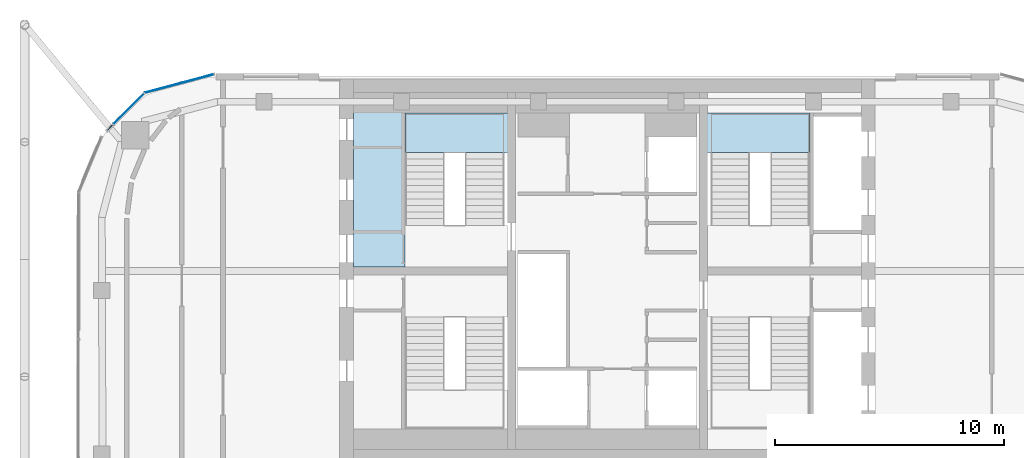
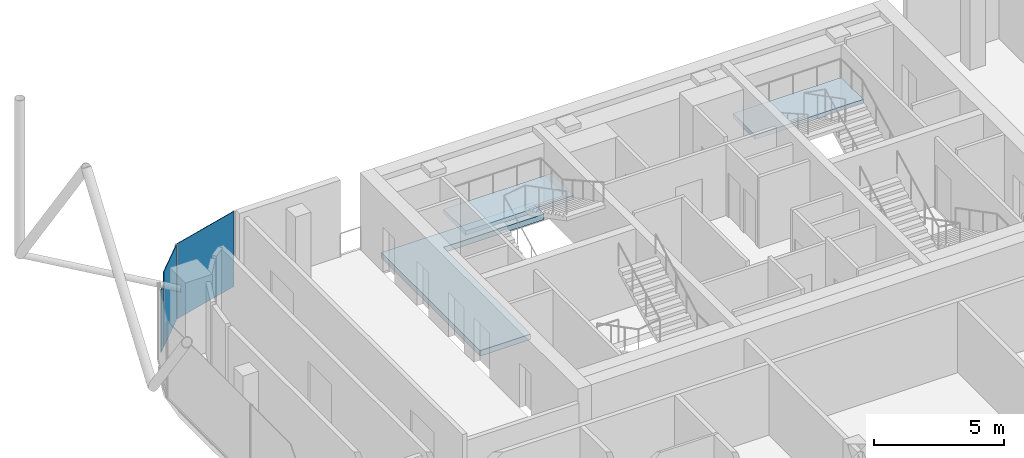
# One storey, part 19 of 27: 3 plates, 3 slabs, 5 elements without a shape of their own.
"""IFC4 building model written with IfcOpenShell, lengths in metres."""

import ifcopenshell
import ifcopenshell.guid

model = None  # the IFC model being written
_history = None  # IfcOwnerHistory: only IFC2X3 demands one
_inside = {}  # id of a spatial element -> (the spatial element, [elements in it])
_under = {}  # id of a project, library or spatial element -> (it, [spatial elements below it])
_declared = {}  # id of a project -> (the project, [libraries it declares])
_typed = {}  # id of a type object -> (the type object, [elements of that type])
_made_of = {}  # id of a material, layer set ... -> (it, [elements and type objects made of it])


def new_model(schema):
    """Start an empty IFC model of exactly this schema.

    Asked for "IFC4X3", IfcOpenShell would pick the latest addendum, in which some entities
    have other attributes; the version numbers below select the first issue.
    IFC2X3 requires an IfcOwnerHistory on every rooted entity: one is made here for all.
    """
    global model, _history
    if schema == "IFC4X3":
        model = ifcopenshell.file(schema_version=(4, 3, 0, 0))
    else:
        model = ifcopenshell.file(schema=schema)
    _inside.clear()
    _under.clear()
    _declared.clear()
    _typed.clear()
    _made_of.clear()
    _history = None
    if model.schema == "IFC2X3":
        org = make("IfcOrganization", Name="unknown")
        user = make(
            "IfcPersonAndOrganization",
            ThePerson=make("IfcPerson", FamilyName="unknown"),
            TheOrganization=org,
        )
        app = make(
            "IfcApplication",
            ApplicationDeveloper=org,
            Version="unknown",
            ApplicationFullName="unknown",
            ApplicationIdentifier="unknown",
        )
        _history = make(
            "IfcOwnerHistory",
            OwningUser=user,
            OwningApplication=app,
            ChangeAction="ADDED",
            CreationDate=0,
        )
    return model


def make(cls, **values):
    """One entity of the class cls with the attributes given. An attribute that is None is left unset."""
    return model.create_entity(
        cls, **{name: value for name, value in values.items() if value is not None}
    )


def rooted(cls, **values):
    """An entity with a GlobalId (a new one), such as an element, a storey or a relation."""
    return make(cls, GlobalId=ifcopenshell.guid.new(), OwnerHistory=_history, **values)


def si_unit(unit_type, name, prefix=None):
    """IfcSIUnit, for example si_unit("LENGTHUNIT", "METRE", prefix="MILLI")."""
    return make("IfcSIUnit", UnitType=unit_type, Prefix=prefix, Name=name)


def assignment(units):
    """IfcUnitAssignment: the units of a project."""
    return None if units is None else make("IfcUnitAssignment", Units=units)


def point(xyz):
    """IfcCartesianPoint."""
    return None if xyz is None else make("IfcCartesianPoint", Coordinates=xyz)


def direction(xyz):
    """IfcDirection."""
    return None if xyz is None else make("IfcDirection", DirectionRatios=xyz)


def frame(location, z_axis=None, x_axis=None):
    """IfcAxis2Placement3D, a coordinate frame: its origin and axes. An axis left out is left unset."""
    return make(
        "IfcAxis2Placement3D",
        Location=point(location),
        Axis=direction(z_axis),
        RefDirection=direction(x_axis),
    )


def frame_2d(location, x_axis=None):
    """IfcAxis2Placement2D, a coordinate frame in the plane: its origin and x axis."""
    return make(
        "IfcAxis2Placement2D", Location=point(location), RefDirection=direction(x_axis)
    )


def origin():
    """The frame at (0, 0, 0) with its axes left unset."""
    return frame((0.0, 0.0, 0.0))


def origin_2d():
    """The frame at (0, 0) in the plane with its x axis left unset."""
    return frame_2d((0.0, 0.0))


def place(relative_to, where):
    """IfcLocalPlacement: puts the frame where relative to a parent placement (None: the world)."""
    return make(
        "IfcLocalPlacement", PlacementRelTo=relative_to, RelativePlacement=where
    )


def context(
    kind, dimensions, precision=None, world=None, true_north=None, identifier=None
):
    """IfcGeometricRepresentationContext, for example the 3D "Model" context."""
    return make(
        "IfcGeometricRepresentationContext",
        ContextIdentifier=identifier,
        ContextType=kind,
        CoordinateSpaceDimension=dimensions,
        Precision=precision,
        WorldCoordinateSystem=world,
        TrueNorth=true_north,
    )


def subcontext(parent, identifier, kind, view, scale=None):
    """IfcGeometricRepresentationSubContext, for example "Body" below "Model"."""
    return make(
        "IfcGeometricRepresentationSubContext",
        ContextIdentifier=identifier,
        ContextType=kind,
        ParentContext=parent,
        TargetScale=scale,
        TargetView=view,
    )


def project(units=None, contexts=None):
    """IfcProject with its units and contexts."""
    return rooted(
        "IfcProject",
        Name="project",
        RepresentationContexts=contexts,
        UnitsInContext=assignment(units),
    )


def spatial(cls, under=None, at=None, **own):
    """A site, building, storey or space (cls), placed at a placement, below another one or the project."""
    s = rooted(cls, ObjectPlacement=at, **own)
    if under is not None:
        _under.setdefault(under.id(), (under, []))[1].append(s)
    return s


def polyline(points):
    """IfcPolyline through the points."""
    return make("IfcPolyline", Points=[point(p) for p in points])


def profile(cls, at=None, kind="AREA", **sizes):
    """A parametric profile (cls). Its sizes go by their IFC names, for example OverallWidth=200.0."""
    return make(cls, ProfileType=kind, Position=at, **sizes)


def rectangle(**sizes):
    """IfcRectangleProfileDef."""
    return profile("IfcRectangleProfileDef", **sizes)


def outline(outer, holes=None, kind="AREA"):
    """IfcArbitraryClosedProfileDef: a profile drawn as a closed curve; with holes, ...WithVoids."""
    if holes is None:
        return make("IfcArbitraryClosedProfileDef", ProfileType=kind, OuterCurve=outer)
    return make(
        "IfcArbitraryProfileDefWithVoids",
        ProfileType=kind,
        OuterCurve=outer,
        InnerCurves=holes,
    )


def extrude(swept, where, along, depth):
    """IfcExtrudedAreaSolid: the profile swept, set in the frame where, extruded along a direction by depth."""
    return make(
        "IfcExtrudedAreaSolid",
        SweptArea=swept,
        Position=where,
        ExtrudedDirection=direction(along),
        Depth=depth,
    )


def shape(context_of_items, identifier, shape_type, items):
    """IfcShapeRepresentation: the items that make up one representation, for example the "Body"."""
    return make(
        "IfcShapeRepresentation",
        ContextOfItems=context_of_items,
        RepresentationIdentifier=identifier,
        RepresentationType=shape_type,
        Items=items,
    )


def material(Name=None, Category=None):
    """IfcMaterial."""
    return make("IfcMaterial", Name=Name, Category=Category)


def layer(
    of_material, thickness, ventilated=None, Name=None, Category=None, Priority=None
):
    """IfcMaterialLayer: one layer of a wall or slab, of a material (None: an air gap)."""
    return make(
        "IfcMaterialLayer",
        Material=of_material,
        LayerThickness=thickness,
        IsVentilated=ventilated,
        Name=Name,
        Category=Category,
        Priority=Priority,
    )


def layer_set(layers, Name=None):
    """IfcMaterialLayerSet."""
    return make("IfcMaterialLayerSet", MaterialLayers=layers, LayerSetName=Name)


def made_of(thing, what):
    """Note that an element or type object is made of a material, layer set ...; save() writes the relation."""
    if what is not None:
        _made_of.setdefault(what.id(), (what, []))[1].append(thing)
    return thing


def type_object(cls, material=None, **own):
    """A type object (cls), such as IfcWallType, which elements share."""
    return made_of(rooted(cls, **own), material)


def element(
    cls,
    number,
    at=None,
    inside=None,
    cuts=None,
    type_object=None,
    material=None,
    context=None,
    identifier="Body",
    shape_type=None,
    held_by="IfcProductDefinitionShape",
    body=None,
    shapes=None,
    **own,
):
    """One element of the class cls, such as IfcWall. Its Tag is "e" and its number.

    at: its placement. inside: the storey or other place that contains it. cuts: it is an
    opening in that element (IfcRelVoidsElement). A single representation is given by context,
    identifier, shape_type and body (its items); several are given by shapes. held_by: the class
    of the entity that holds the representations. save() writes the other relations.
    """
    e = rooted(cls, Tag="e%d" % number, ObjectPlacement=at, **own)
    if body is not None:
        shapes = [shape(context, identifier, shape_type, body)]
    if shapes is not None:
        e.Representation = make(held_by, Representations=shapes)
    if inside is not None:
        _inside.setdefault(inside.id(), (inside, []))[1].append(e)
    if cuts is not None:
        rooted(
            "IfcRelVoidsElement", RelatingBuildingElement=cuts, RelatedOpeningElement=e
        )
    if type_object is not None:
        _typed.setdefault(type_object.id(), (type_object, []))[1].append(e)
    return made_of(e, material)


def aggregate(whole, parts):
    """IfcRelAggregates: a whole, such as a stair, and the parts it consists of."""
    return rooted("IfcRelAggregates", RelatingObject=whole, RelatedObjects=parts)


def save(model, path):
    """Write the relations noted so far, then the file.

    IfcRelAggregates (storeys below a building ...), IfcRelContainedInSpatialStructure (elements
    in a storey), IfcRelDefinesByType, IfcRelAssociatesMaterial and IfcRelDeclares: one each for
    every whole, place, type object, material and project.
    """
    for whole, parts in _under.values():
        aggregate(whole, parts)
    for where, things in _inside.values():
        rooted(
            "IfcRelContainedInSpatialStructure",
            RelatedElements=things,
            RelatingStructure=where,
        )
    for kind, things in _typed.values():
        rooted("IfcRelDefinesByType", RelatedObjects=things, RelatingType=kind)
    for what, things in _made_of.values():
        rooted("IfcRelAssociatesMaterial", RelatedObjects=things, RelatingMaterial=what)
    for by, libraries in _declared.values():
        rooted("IfcRelDeclares", RelatingContext=by, RelatedDefinitions=libraries)
    model.write(path)


model = new_model("IFC4")

# Units and contexts
model_context = context("Model", 3, precision=1e-05, world=origin(), true_north=direction((0.0, 1.0)))
body_context = subcontext(model_context, "Body", "Model", "MODEL_VIEW")
ifc_project = project(units=[si_unit("LENGTHUNIT", "METRE"), si_unit("AREAUNIT", "SQUARE_METRE"), si_unit("VOLUMEUNIT", "CUBIC_METRE"), si_unit("PLANEANGLEUNIT", "RADIAN"), si_unit("MASSUNIT", "GRAM", prefix="KILO")], contexts=[model_context])

# Site, building, storey
site_placement = place(None, origin())
site = spatial("IfcSite", under=ifc_project, at=site_placement, CompositionType="ELEMENT")
building_placement = place(site_placement, origin())
building = spatial("IfcBuilding", under=site, at=building_placement, Name="Marenta Gate Hotel Tower", CompositionType="ELEMENT")
storey_placement = place(building_placement, frame((0.0, 0.0, 270.5)))
storey = spatial("IfcBuildingStorey", under=building, at=storey_placement, Name="L62", CompositionType="ELEMENT", Elevation=270.5)

# Slab
ifc_material_1 = material(Name="Concrete C40", Category="concrete")
ifc_layer_1 = layer(ifc_material_1, 0.260009765625)
ifc_layer_set_1 = layer_set([ifc_layer_1], Name="Concrete C40")
slab_type_1 = type_object("IfcSlabType", Name="Core floor slab 260", PredefinedType="FLOOR", material=ifc_layer_set_1)
slab_1_placement = place(storey_placement, frame((0.0, 0.0, -0.260009765625)))
element("IfcSlab", 1, at=slab_1_placement, inside=storey, type_object=slab_type_1, Name="L62-CF-6", PredefinedType="FLOOR", context=body_context, shape_type="SweptSolid", body=[
    extrude(outline(polyline([(-4.375, 15.300048828125), (-8.85009765625, 15.300048828125), (-8.85009765625, 10.39990234375), (-8.85009765625, 8.699951171875), (-8.85009765625, 8.574951171875), (-11.10009765625, 8.574951171875), (-11.10009765625, 16.199951171875), (-4.375, 16.199951171875), (-4.375, 15.300048828125)])), origin(), (0.0, 0.0, 1.0), 0.260009765625),
])

# Stair, slab
ifc_material_2 = material(Name="Concrete C40", Category="concrete")
stair_type = type_object("IfcStairType", Name="Core exit stair 1700 wide", PredefinedType="HALF_TURN_STAIR", material=ifc_material_2)
stair_1_placement = place(storey_placement, origin())
stair_1 = element("IfcStair", 2, at=stair_1_placement, inside=storey, type_object=stair_type, Name="Exit stair 2", PredefinedType="HALF_TURN_STAIR")
ifc_material_3 = material(Name="Concrete C40", Category="concrete")
ifc_layer_2 = layer(ifc_material_3, 0.199951171875)
ifc_layer_set_2 = layer_set([ifc_layer_2], Name="Concrete C40")
slab_type_2 = type_object("IfcSlabType", Name="Core stair landing 200", PredefinedType="LANDING", material=ifc_layer_set_2)
slab_2_placement = place(storey_placement, frame((0.0, 0.0, 1.60009765625)))
slab_2 = element("IfcSlab", 3, at=slab_2_placement, type_object=slab_type_2, Name="SL-200 ST2 landing 1", PredefinedType="LANDING", context=body_context, shape_type="SweptSolid", body=[
    extrude(outline(polyline([(-8.85009765625, 13.590087890625), (-4.02490234375, 13.590087890625), (-4.02490234375, 15.300048828125), (-8.85009765625, 15.300048828125), (-8.85009765625, 13.590087890625)])), origin(), (0.0, 0.0, 1.0), 0.199951171875),
])
aggregate(stair_1, [slab_2])

stair_2_placement = place(storey_placement, origin())
stair_2 = element("IfcStair", 4, at=stair_2_placement, inside=storey, type_object=stair_type, Name="Exit stair 4", PredefinedType="HALF_TURN_STAIR")
slab_3_placement = place(storey_placement, frame((0.0, 0.0, 1.60009765625)))
slab_3 = element("IfcSlab", 5, at=slab_3_placement, type_object=slab_type_2, Name="SL-200 ST4 landing 1", PredefinedType="LANDING", context=body_context, shape_type="SweptSolid", body=[
    extrude(outline(polyline([(4.02490234375, 13.590087890625), (8.85009765625, 13.590087890625), (8.85009765625, 15.300048828125), (4.02490234375, 15.300048828125), (4.02490234375, 13.590087890625)])), origin(), (0.0, 0.0, 1.0), 0.199951171875),
])
aggregate(stair_2, [slab_3])

# Curtain wall, plate
ifc_material_4 = material(Name="Tinted insulated glass in bronze anodised frame", Category="glass")
ifc_layer_3 = layer(ifc_material_4, 0.1201171875)
ifc_layer_set_3 = layer_set([ifc_layer_3], Name="Tinted insulated glass in bronze anodised frame")
curtain_wall_type = type_object("IfcCurtainWallType", Name="Tower unitised curtain wall CW1", PredefinedType="NOTDEFINED", material=ifc_layer_set_3)
curtain_wall_1_placement = place(storey_placement, origin())
curtain_wall_1 = element("IfcCurtainWall", 6, at=curtain_wall_1_placement, inside=storey, type_object=curtain_wall_type, Name="CW1 run G00", PredefinedType="NOTDEFINED")
ifc_material_5 = material(Name="Tinted insulated glass", Category="glass")
ifc_layer_4 = layer(ifc_material_5, 0.028076171875)
ifc_layer_set_4 = layer_set([ifc_layer_4], Name="Tinted insulated glass")
plate_type = type_object("IfcPlateType", Name="Glass panel CW1 28 mm tinted insulated unit", PredefinedType="CURTAIN_PANEL", material=ifc_layer_set_4)
plate_1_placement = place(storey_placement, frame((-18.713623046875, 16.59375, 0.06005859375), z_axis=(0.0, 0.0, 1.0), x_axis=(-0.965930559685, -0.258801379183, 0.0)))
plate_1 = element("IfcPlate", 7, at=plate_1_placement, type_object=plate_type, Name="CW1 panel 1.1", PredefinedType="CURTAIN_PANEL", context=body_context, shape_type="SweptSolid", body=[
    extrude(rectangle(XDim=3.104248046875, YDim=0.028076171875, at=origin_2d()), origin(), (0.0, 0.0, 1.0), 3.5400390625),
])
aggregate(curtain_wall_1, [plate_1])

curtain_wall_2_placement = place(storey_placement, origin())
curtain_wall_2 = element("IfcCurtainWall", 8, at=curtain_wall_2_placement, inside=storey, type_object=curtain_wall_type, Name="CW1 run G01", PredefinedType="NOTDEFINED")
plate_2_placement = place(storey_placement, frame((-20.91748046875, 15.487548828125, 0.06005859375), z_axis=(0.0, 0.0, 1.0), x_axis=(-0.707106781187, -0.707106781187, 0.0)))
plate_2 = element("IfcPlate", 9, at=plate_2_placement, type_object=plate_type, Name="CW1 panel 1.1", PredefinedType="CURTAIN_PANEL", context=body_context, shape_type="SweptSolid", body=[
    extrude(rectangle(XDim=1.872802734375, YDim=0.028076171875, at=origin_2d()), origin(), (0.0, 0.0, 1.0), 3.5400390625),
])
aggregate(curtain_wall_2, [plate_2])

curtain_wall_3_placement = place(storey_placement, origin())
curtain_wall_3 = element("IfcCurtainWall", 10, at=curtain_wall_3_placement, inside=storey, type_object=curtain_wall_type, Name="CW1 run G02", PredefinedType="NOTDEFINED")
plate_3_placement = place(storey_placement, frame((-21.740478515625, 14.66455078125, 0.06005859375), z_axis=(0.0, 0.0, 1.0), x_axis=(-0.707106781187, -0.707106781187, 0.0)))
plate_3 = element("IfcPlate", 11, at=plate_3_placement, type_object=plate_type, Name="CW1 panel 1.1", PredefinedType="CURTAIN_PANEL", context=body_context, shape_type="SweptSolid", body=[
    extrude(rectangle(XDim=0.335205078125, YDim=0.028076171875, at=origin_2d()), origin(), (0.0, 0.0, 1.0), 2.9404296875),
])
aggregate(curtain_wall_3, [plate_3])

save(model, "model.ifc")
